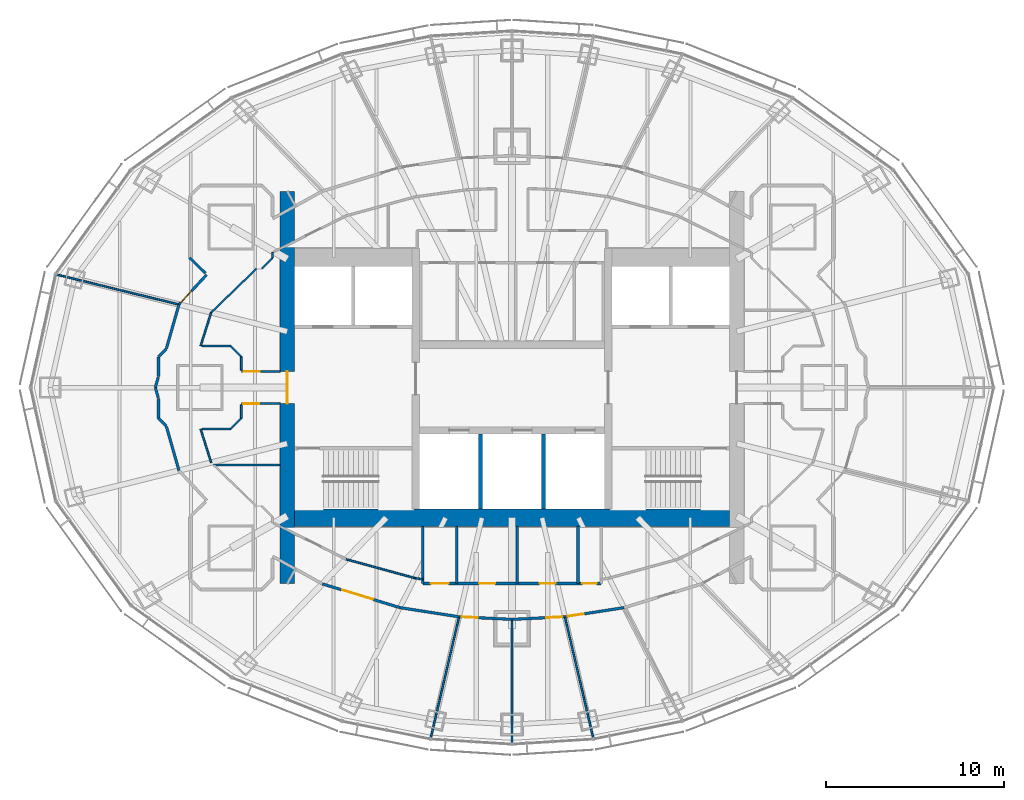
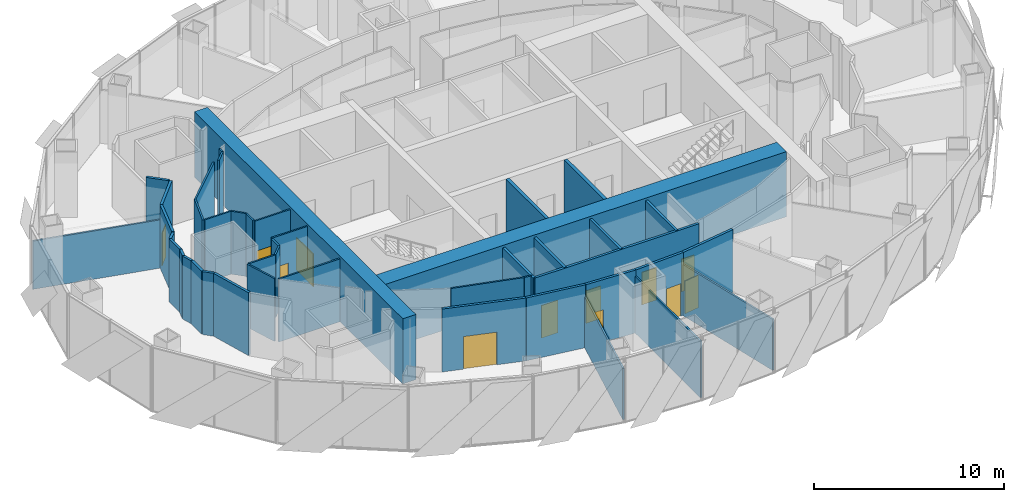
# One storey, part 12 of 19: 44 walls, 12 doors, 12 openings.
"""IFC4 building model written with IfcOpenShell, lengths in metres."""

from ifc_helpers import new_model, si_unit, direction, frame, frame_2d, origin, place, context, subcontext, project, spatial, rectangle, extrude, material, layer, layer_set, type_object, element, fill, save


model = new_model("IFC4")

# Units and contexts
model_context = context("Model", 3, precision=1e-05, world=origin(), true_north=direction((0.0, 1.0)))
body_context = subcontext(model_context, "Body", "Model", "MODEL_VIEW")
ifc_project = project(units=[si_unit("LENGTHUNIT", "METRE"), si_unit("AREAUNIT", "SQUARE_METRE"), si_unit("VOLUMEUNIT", "CUBIC_METRE"), si_unit("PLANEANGLEUNIT", "RADIAN"), si_unit("MASSUNIT", "GRAM", prefix="KILO")], contexts=[model_context])

# Site, building, storey
site_placement = place(None, origin())
site = spatial("IfcSite", under=ifc_project, at=site_placement, CompositionType="ELEMENT")
building_placement = place(site_placement, origin())
building = spatial("IfcBuilding", under=site, at=building_placement, Name="Lantaw Convention Tower", CompositionType="ELEMENT")
storey_placement = place(building_placement, frame((0.0, 0.0, 253.60009765625)))
storey = spatial("IfcBuildingStorey", under=building, at=storey_placement, Name="L59", CompositionType="ELEMENT", Elevation=253.60009765625)

# Wall
ifc_material_1 = material(Name="Concrete C60/75", Category="concrete")
ifc_layer_1 = layer(ifc_material_1, 1.0)
ifc_layer_set_1 = layer_set([ifc_layer_1], Name="Core wall 1000")
wall_type_1 = type_object("IfcWallType", Name="Core wall 1000", PredefinedType="SHEAR", material=ifc_layer_set_1)
wall_1_placement = place(storey_placement, frame((-12.199951171875, -7.300048828125, 0.0), z_axis=(0.0, 0.0, 1.0), x_axis=(1.0, 0.0, 0.0)))
element("IfcWall", 1, at=wall_1_placement, inside=storey, type_object=wall_type_1, Name="Core wall S", PredefinedType="SHEAR", context=body_context, shape_type="SweptSolid", body=[
    extrude(rectangle(XDim=24.39990234375, YDim=1.0, at=frame_2d((12.199951171875, 0.0))), origin(), (0.0, 0.0, 1.0), 4.199951171875),
])

# Wall, opening, door
ifc_layer_2 = layer(ifc_material_1, 0.800048828125)
ifc_layer_set_2 = layer_set([ifc_layer_2], Name="Core wall 800")
wall_type_2 = type_object("IfcWallType", Name="Core wall 800", PredefinedType="SHEAR", material=ifc_layer_set_2)
wall_2_placement = place(storey_placement, frame((-12.60009765625, 11.0, 0.0), z_axis=(0.0, 0.0, 1.0), x_axis=(0.0, -1.0, 0.0)))
wall_2 = element("IfcWall", 2, at=wall_2_placement, inside=storey, type_object=wall_type_2, Name="Core wall W", PredefinedType="SHEAR", context=body_context, shape_type="SweptSolid", body=[
    extrude(rectangle(XDim=22.0, YDim=0.800048828125, at=frame_2d((11.0, 0.0))), origin(), (0.0, 0.0, 1.0), 4.199951171875),
])
opening_1_placement = place(wall_2_placement, frame((10.10009765625, 0.0, 0.0)))
opening_1 = element("IfcOpeningElement", 3, at=opening_1_placement, cuts=wall_2, Name="Opening L59.06", PredefinedType="OPENING", context=body_context, shape_type="SweptSolid", body=[
    extrude(rectangle(XDim=1.800048828125, YDim=2.10009765625, at=frame_2d((0.89990234375, 1.050048828125))), frame((0.0, 0.409912109375, 0.0), z_axis=(0.0, -1.0, 0.0), x_axis=(1.0, 0.0, 0.0)), (0.0, 0.0, 1.0), 0.820068359375),
])
ifc_material_2 = material(Name="Steel, fire rated", Category="steel")
door_type_1 = type_object("IfcDoorType", Name="Lobby double door FD90", OperationType="DOUBLE_DOOR_DOUBLE_SWING", PredefinedType="DOOR", material=ifc_material_2)
door_1_placement = place(opening_1_placement, origin())
door_1 = element("IfcDoor", 4, at=door_1_placement, inside=storey, type_object=door_type_1, Name="Firefighting lobby door", OperationType="DOUBLE_DOOR_DOUBLE_SWING", OverallHeight=2.10009765625, OverallWidth=1.800048828125, PredefinedType="DOOR", context=body_context, shape_type="SweptSolid", body=[
    extrude(rectangle(XDim=1.800048828125, YDim=2.10009765625, at=frame_2d((0.89990234375, 1.050048828125))), frame((0.0, 0.02490234375, 0.0), z_axis=(0.0, -1.0, 0.0), x_axis=(1.0, 0.0, 0.0)), (0.0, 0.0, 1.0), 0.050048828125),
])
fill(opening_1, door_1)

ifc_material_3 = material(Name="Gypsum board on steel studs, fire rated", Category="steel")
ifc_layer_3 = layer(ifc_material_3, 0.14990234375)
ifc_layer_set_3 = layer_set([ifc_layer_3], Name="Corridor wall 150 EI 60")
wall_type_3 = type_object("IfcWallType", Name="Corridor wall 150 EI 60", PredefinedType="PARTITIONING", material=ifc_layer_set_3)
wall_3_placement = place(storey_placement, frame((-10.6328125, -11.010498046875, 0.0), z_axis=(0.0, 0.0, 1.0), x_axis=(0.956185837153, -0.292760388079, 0.0)))
wall_3 = element("IfcWall", 5, at=wall_3_placement, inside=storey, type_object=wall_type_3, Name="Corridor wall 150", PredefinedType="PARTITIONING", context=body_context, shape_type="SweptSolid", body=[
    extrude(rectangle(XDim=4.5439453125, YDim=0.14990234375, at=frame_2d((2.27197265625, 0.0))), origin(), (0.0, 0.0, 1.0), 4.0498046875),
])
opening_2_placement = place(wall_3_placement, frame((1.168212890625, 0.0, 0.0)))
opening_2 = element("IfcOpeningElement", 6, at=opening_2_placement, cuts=wall_3, Name="Opening L59.41", PredefinedType="OPENING", context=body_context, shape_type="SweptSolid", body=[
    extrude(rectangle(XDim=1.800048828125, YDim=2.10009765625, at=frame_2d((0.89990234375, 1.050048828125))), frame((0.0, 0.0849609375, 0.0), z_axis=(0.0, -1.0, 0.0), x_axis=(1.0, 0.0, 0.0)), (0.0, 0.0, 1.0), 0.169921875),
])
door_type_2 = type_object("IfcDoorType", Name="Office double door 1800 FD30", OperationType="DOUBLE_DOOR_DOUBLE_SWING", PredefinedType="DOOR", material=ifc_material_2)
door_2_placement = place(opening_2_placement, origin())
door_2 = element("IfcDoor", 7, at=door_2_placement, inside=storey, type_object=door_type_2, Name="Open office door", OperationType="DOUBLE_DOOR_DOUBLE_SWING", OverallHeight=2.10009765625, OverallWidth=1.800048828125, PredefinedType="DOOR", context=body_context, shape_type="SweptSolid", body=[
    extrude(rectangle(XDim=1.800048828125, YDim=2.10009765625, at=frame_2d((0.89990234375, 1.050048828125))), frame((0.0, 0.02490234375, 0.0), z_axis=(0.0, -1.0, 0.0), x_axis=(1.0, 0.0, 0.0)), (0.0, 0.0, 1.0), 0.050048828125),
])
fill(opening_2, door_2)

# Wall
wall_4_placement = place(storey_placement, frame((-6.287841796875, -12.3408203125, 0.0), z_axis=(0.0, 0.0, 1.0), x_axis=(0.988174283057, -0.153334882869, 0.0)))
element("IfcWall", 8, at=wall_4_placement, inside=storey, type_object=wall_type_3, Name="Corridor wall 150", PredefinedType="PARTITIONING", context=body_context, shape_type="SweptSolid", body=[
    extrude(rectangle(XDim=3.359619140625, YDim=0.14990234375, at=frame_2d((1.6796875, 0.0))), origin(), (0.0, 0.0, 1.0), 4.0498046875),
])

# Wall, opening, door
wall_5_placement = place(storey_placement, frame((-2.968017578125, -12.85595703125, 0.0), z_axis=(0.0, 0.0, 1.0), x_axis=(0.998824412818, -0.04847465687, 0.0)))
wall_5 = element("IfcWall", 9, at=wall_5_placement, inside=storey, type_object=wall_type_3, Name="Corridor wall 150", PredefinedType="PARTITIONING", context=body_context, shape_type="SweptSolid", body=[
    extrude(rectangle(XDim=2.971435546875, YDim=0.14990234375, at=frame_2d((1.48583984375, 0.0))), origin(), (0.0, 0.0, 1.0), 4.0498046875),
])
opening_3_placement = place(wall_5_placement, frame((0.14990234375, 0.0, 0.0)))
opening_3 = element("IfcOpeningElement", 10, at=opening_3_placement, cuts=wall_5, Name="Opening L59.42", PredefinedType="OPENING", context=body_context, shape_type="SweptSolid", body=[
    extrude(rectangle(XDim=0.89990234375, YDim=2.10009765625, at=frame_2d((0.449951171875, 1.050048828125))), frame((0.0, 0.0849609375, 0.0), z_axis=(0.0, -1.0, 0.0), x_axis=(1.0, 0.0, 0.0)), (0.0, 0.0, 1.0), 0.169921875),
])
door_type_3 = type_object("IfcDoorType", Name="Office door 900 FD30", OperationType="SINGLE_SWING_LEFT", PredefinedType="DOOR", material=ifc_material_2)
door_3_placement = place(opening_3_placement, origin())
door_3 = element("IfcDoor", 11, at=door_3_placement, inside=storey, type_object=door_type_3, Name="Private office door", OperationType="SINGLE_SWING_LEFT", OverallHeight=2.10009765625, OverallWidth=0.89990234375, PredefinedType="DOOR", context=body_context, shape_type="SweptSolid", body=[
    extrude(rectangle(XDim=0.89990234375, YDim=2.10009765625, at=frame_2d((0.449951171875, 1.050048828125))), frame((0.0, 0.02490234375, 0.0), z_axis=(0.0, -1.0, 0.0), x_axis=(1.0, 0.0, 0.0)), (0.0, 0.0, 1.0), 0.050048828125),
])
fill(opening_3, door_3)

wall_6_placement = place(storey_placement, frame((0.0, -13.0, 0.0), z_axis=(0.0, 0.0, 1.0), x_axis=(0.998824412818, 0.04847465687, 0.0)))
wall_6 = element("IfcWall", 12, at=wall_6_placement, inside=storey, type_object=wall_type_3, Name="Corridor wall 150", PredefinedType="PARTITIONING", context=body_context, shape_type="SweptSolid", body=[
    extrude(rectangle(XDim=2.971435546875, YDim=0.14990234375, at=frame_2d((1.48583984375, 0.0))), origin(), (0.0, 0.0, 1.0), 4.0498046875),
])
opening_4_placement = place(wall_6_placement, frame((1.92138671875, 0.0, 0.0)))
opening_4 = element("IfcOpeningElement", 13, at=opening_4_placement, cuts=wall_6, Name="Opening L59.43", PredefinedType="OPENING", context=body_context, shape_type="SweptSolid", body=[
    extrude(rectangle(XDim=0.89990234375, YDim=2.10009765625, at=frame_2d((0.449951171875, 1.050048828125))), frame((0.0, 0.0849609375, 0.0), z_axis=(0.0, -1.0, 0.0), x_axis=(1.0, 0.0, 0.0)), (0.0, 0.0, 1.0), 0.169921875),
])
door_4_placement = place(opening_4_placement, origin())
door_4 = element("IfcDoor", 14, at=door_4_placement, inside=storey, type_object=door_type_3, Name="Private office door", OperationType="SINGLE_SWING_LEFT", OverallHeight=2.10009765625, OverallWidth=0.89990234375, PredefinedType="DOOR", context=body_context, shape_type="SweptSolid", body=[
    extrude(rectangle(XDim=0.89990234375, YDim=2.10009765625, at=frame_2d((0.449951171875, 1.050048828125))), frame((0.0, 0.02490234375, 0.0), z_axis=(0.0, -1.0, 0.0), x_axis=(1.0, 0.0, 0.0)), (0.0, 0.0, 1.0), 0.050048828125),
])
fill(opening_4, door_4)

wall_7_placement = place(storey_placement, frame((2.968017578125, -12.85595703125, 0.0), z_axis=(0.0, 0.0, 1.0), x_axis=(0.988174283057, 0.153334882869, 0.0)))
wall_7 = element("IfcWall", 15, at=wall_7_placement, inside=storey, type_object=wall_type_3, Name="Corridor wall 150", PredefinedType="PARTITIONING", context=body_context, shape_type="SweptSolid", body=[
    extrude(rectangle(XDim=3.359619140625, YDim=0.14990234375, at=frame_2d((1.6796875, 0.0))), origin(), (0.0, 0.0, 1.0), 4.0498046875),
])
opening_5_placement = place(wall_7_placement, frame((0.14990234375, 0.0, 0.0)))
opening_5 = element("IfcOpeningElement", 16, at=opening_5_placement, cuts=wall_7, Name="Opening L59.44", PredefinedType="OPENING", context=body_context, shape_type="SweptSolid", body=[
    extrude(rectangle(XDim=0.89990234375, YDim=2.10009765625, at=frame_2d((0.449951171875, 1.050048828125))), frame((0.0, 0.0849609375, 0.0), z_axis=(0.0, -1.0, 0.0), x_axis=(1.0, 0.0, 0.0)), (0.0, 0.0, 1.0), 0.169921875),
])
door_5_placement = place(opening_5_placement, origin())
door_5 = element("IfcDoor", 17, at=door_5_placement, inside=storey, type_object=door_type_3, Name="Private office door", OperationType="SINGLE_SWING_LEFT", OverallHeight=2.10009765625, OverallWidth=0.89990234375, PredefinedType="DOOR", context=body_context, shape_type="SweptSolid", body=[
    extrude(rectangle(XDim=0.89990234375, YDim=2.10009765625, at=frame_2d((0.449951171875, 1.050048828125))), frame((0.0, 0.02490234375, 0.0), z_axis=(0.0, -1.0, 0.0), x_axis=(1.0, 0.0, 0.0)), (0.0, 0.0, 1.0), 0.050048828125),
])
fill(opening_5, door_5)

# Walls
wall_8_placement = place(storey_placement, frame((-18.67333984375, 4.65576171875, 0.0), z_axis=(0.0, 0.0, 1.0), x_axis=(-0.274067949327, -0.961710330168, 0.0)))
element("IfcWall", 18, at=wall_8_placement, inside=storey, type_object=wall_type_3, Name="Corridor wall 150", PredefinedType="PARTITIONING", context=body_context, shape_type="SweptSolid", body=[
    extrude(rectangle(XDim=2.5673828125, YDim=0.14990234375, at=frame_2d((1.28369140625, 0.0))), origin(), (0.0, 0.0, 1.0), 4.0498046875),
])
for number, where, z_axis, x_axis, name in (
    (19, (-19.8349609375, 0.5791015625, 0.0), (0.0, 0.0, 1.0), (-0.27407847996, -0.961707329089, 0.0), "Corridor wall 150"),
    (20, (-20.0, 0.0, 0.0), (0.0, 0.0, 1.0), (0.27407847996, -0.961707329089, 0.0), "Corridor wall 150"),
):
    element("IfcWall", number, at=place(storey_placement, frame(where, z_axis=z_axis, x_axis=x_axis)), inside=storey, type_object=wall_type_3, Name=name, PredefinedType="PARTITIONING", context=body_context, shape_type="SweptSolid", body=[
        extrude(rectangle(XDim=0.60205078125, YDim=0.14990234375, at=frame_2d((0.301025390625, 0.0))), origin(), (0.0, 0.0, 1.0), 4.0498046875),
    ])
wall_9_placement = place(storey_placement, frame((-19.376953125, -2.186767578125, 0.0), z_axis=(0.0, 0.0, 1.0), x_axis=(0.274067949327, -0.961710330168, 0.0)))
element("IfcWall", 21, at=wall_9_placement, inside=storey, type_object=wall_type_3, Name="Corridor wall 150", PredefinedType="PARTITIONING", context=body_context, shape_type="SweptSolid", body=[
    extrude(rectangle(XDim=2.5673828125, YDim=0.14990234375, at=frame_2d((1.28369140625, 0.0))), origin(), (0.0, 0.0, 1.0), 4.0498046875),
])
for number, where, z_axis, x_axis, name in (
    (22, (-19.824951171875, -1.724609375, 0.0), (0.0, 0.0, 1.0), (0.0, 1.0, 0.0), "Corridor wall 150"),
    (23, (-19.824951171875, 0.607421875, 0.0), (0.0, 0.0, 1.0), (0.0, 1.0, 0.0), "Corridor wall 150"),
):
    element("IfcWall", number, at=place(storey_placement, frame(where, z_axis=z_axis, x_axis=x_axis)), inside=storey, type_object=wall_type_3, Name=name, PredefinedType="PARTITIONING", context=body_context, shape_type="SweptSolid", body=[
        extrude(rectangle(XDim=1.1171875, YDim=0.14990234375, at=frame_2d((0.55859375, 0.0))), origin(), (0.0, 0.0, 1.0), 4.0498046875),
    ])
for number, where, z_axis, x_axis, name in (
    (24, (-19.824951171875, 1.724609375, 0.0), (0.0, 0.0, 1.0), (0.707106781187, 0.707106781187, 0.0), "Corridor wall 150"),
    (25, (-19.39013671875, -2.159423828125, 0.0), (0.0, 0.0, 1.0), (-0.707106781187, 0.707106781187, 0.0), "Corridor wall 150"),
):
    element("IfcWall", number, at=place(storey_placement, frame(where, z_axis=z_axis, x_axis=x_axis)), inside=storey, type_object=wall_type_3, Name=name, PredefinedType="PARTITIONING", context=body_context, shape_type="SweptSolid", body=[
        extrude(rectangle(XDim=0.614990234375, YDim=0.14990234375, at=frame_2d((0.3076171875, 0.0))), origin(), (0.0, 0.0, 1.0), 4.0498046875),
    ])

# Wall, opening, door
wall_10_placement = place(storey_placement, frame((-17.121337890625, 6.32470703125, 0.0), z_axis=(0.0, 0.0, 1.0), x_axis=(-0.680985069419, -0.732297299755, 0.0)))
wall_10 = element("IfcWall", 26, at=wall_10_placement, inside=storey, type_object=wall_type_3, Name="Corridor wall 150", PredefinedType="PARTITIONING", context=body_context, shape_type="SweptSolid", body=[
    extrude(rectangle(XDim=2.279052734375, YDim=0.14990234375, at=frame_2d((1.1396484375, 0.0))), origin(), (0.0, 0.0, 1.0), 4.0498046875),
])
opening_6_placement = place(wall_10_placement, frame((1.25, 0.0, 0.0)))
opening_6 = element("IfcOpeningElement", 27, at=opening_6_placement, cuts=wall_10, Name="Opening L59.40", PredefinedType="OPENING", context=body_context, shape_type="SweptSolid", body=[
    extrude(rectangle(XDim=0.89990234375, YDim=2.10009765625, at=frame_2d((0.449951171875, 1.050048828125))), frame((0.0, 0.0849609375, 0.0), z_axis=(0.0, -1.0, 0.0), x_axis=(1.0, 0.0, 0.0)), (0.0, 0.0, 1.0), 0.169921875),
])
door_6_placement = place(opening_6_placement, origin())
door_6 = element("IfcDoor", 28, at=door_6_placement, inside=storey, type_object=door_type_3, Name="Meeting room door", OperationType="SINGLE_SWING_LEFT", OverallHeight=2.10009765625, OverallWidth=0.89990234375, PredefinedType="DOOR", context=body_context, shape_type="SweptSolid", body=[
    extrude(rectangle(XDim=0.89990234375, YDim=2.10009765625, at=frame_2d((0.449951171875, 1.050048828125))), frame((0.0, 0.02490234375, 0.0), z_axis=(0.0, -1.0, 0.0), x_axis=(1.0, 0.0, 0.0)), (0.0, 0.0, 1.0), 0.050048828125),
])
fill(opening_6, door_6)

# Walls
wall_11_placement = place(storey_placement, frame((-17.1865234375, 6.40380859375, 0.0), z_axis=(0.0, 0.0, 1.0), x_axis=(-0.713842064016, 0.700306723973, 0.0)))
element("IfcWall", 29, at=wall_11_placement, inside=storey, type_object=wall_type_3, Name="Corridor wall 150", PredefinedType="PARTITIONING", context=body_context, shape_type="SweptSolid", body=[
    extrude(rectangle(XDim=1.24462890625, YDim=0.14990234375, at=frame_2d((0.622314453125, 0.0))), origin(), (0.0, 0.0, 1.0), 4.0498046875),
])
ifc_material_4 = material(Name="Gypsum board on steel studs, acoustic", Category="steel")
ifc_layer_4 = layer(ifc_material_4, 0.10009765625)
ifc_layer_set_4 = layer_set([ifc_layer_4], Name="Office partition 100")
wall_type_4 = type_object("IfcWallType", Name="Office partition 100", PredefinedType="PARTITIONING", material=ifc_layer_set_4)
wall_12_placement = place(storey_placement, frame((-25.54296875, 6.33544921875, 0.0), z_axis=(0.0, 0.0, 1.0), x_axis=(0.971384494438, -0.237512450129, 0.0)))
element("IfcWall", 30, at=wall_12_placement, inside=storey, type_object=wall_type_4, Name="Office partition 100", PredefinedType="PARTITIONING", context=body_context, shape_type="SweptSolid", body=[
    extrude(rectangle(XDim=7.072021484375, YDim=0.10009765625, at=frame_2d((3.5361328125, 0.0))), origin(), (0.0, 0.0, 1.0), 3.107666015625),
])
wall_13_placement = place(storey_placement, frame((-4.5556640625, -19.65673828125, 0.0), z_axis=(0.0, 0.0, 1.0), x_axis=(0.22733791689, 0.973815933092, 0.0)))
element("IfcWall", 31, at=wall_13_placement, inside=storey, type_object=wall_type_4, Name="Office partition 100", PredefinedType="PARTITIONING", context=body_context, shape_type="SweptSolid", body=[
    extrude(rectangle(XDim=6.983642578125, YDim=0.10009765625, at=frame_2d((3.49169921875, 0.0))), origin(), (0.0, 0.0, 1.0), 3.29296875),
])
wall_14_placement = place(storey_placement, frame((0.0, -19.94482421875, 0.0), z_axis=(0.0, 0.0, 1.0), x_axis=(0.0, 1.0, 0.0)))
element("IfcWall", 32, at=wall_14_placement, inside=storey, type_object=wall_type_4, Name="Office partition 100", PredefinedType="PARTITIONING", context=body_context, shape_type="SweptSolid", body=[
    extrude(rectangle(XDim=6.94482421875, YDim=0.10009765625, at=frame_2d((3.472412109375, 0.0))), origin(), (0.0, 0.0, 1.0), 3.6435546875),
])
wall_15_placement = place(storey_placement, frame((4.5556640625, -19.65673828125, 0.0), z_axis=(0.0, 0.0, 1.0), x_axis=(-0.22733791689, 0.973815933092, 0.0)))
element("IfcWall", 33, at=wall_15_placement, inside=storey, type_object=wall_type_4, Name="Office partition 100", PredefinedType="PARTITIONING", context=body_context, shape_type="SweptSolid", body=[
    extrude(rectangle(XDim=6.983642578125, YDim=0.10009765625, at=frame_2d((3.49169921875, 0.0))), origin(), (0.0, 0.0, 1.0), 3.29296875),
])
wall_16_placement = place(storey_placement, frame((-16.729248046875, -4.340087890625, 0.0), z_axis=(0.0, 0.0, 1.0), x_axis=(1.0, 0.0, 0.0)))
element("IfcWall", 34, at=wall_16_placement, inside=storey, type_object=wall_type_4, Name="Office partition 100", PredefinedType="PARTITIONING", context=body_context, shape_type="SweptSolid", body=[
    extrude(rectangle(XDim=3.729248046875, YDim=0.10009765625, at=frame_2d((1.86474609375, 0.0))), origin(), (0.0, 0.0, 1.0), 4.0498046875),
])
wall_17_placement = place(storey_placement, frame((-5.0, -10.7490234375, 0.0), z_axis=(0.0, 0.0, 1.0), x_axis=(-0.990442882696, 0.137923515463, 0.0)))
element("IfcWall", 35, at=wall_17_placement, inside=storey, type_object=wall_type_4, Name="Office partition 100", PredefinedType="PARTITIONING", context=body_context, shape_type="SweptSolid", body=[
    extrude(rectangle(XDim=0.44970703125, YDim=0.10009765625, at=frame_2d((0.224853515625, 0.0))), origin(), (0.0, 0.0, 1.0), 4.0498046875),
])
wall_18_placement = place(storey_placement, frame((-5.4453125, -10.68701171875, 0.0), z_axis=(0.0, 0.0, 1.0), x_axis=(-0.964244438722, 0.265014456954, 0.0)))
element("IfcWall", 36, at=wall_18_placement, inside=storey, type_object=wall_type_4, Name="Office partition 100", PredefinedType="PARTITIONING", context=body_context, shape_type="SweptSolid", body=[
    extrude(rectangle(XDim=3.995361328125, YDim=0.10009765625, at=frame_2d((1.99755859375, 0.0))), origin(), (0.0, 0.0, 1.0), 4.0498046875),
])
wall_19_placement = place(storey_placement, frame((-16.8681640625, -4.205810546875, 0.0), z_axis=(0.0, 0.0, 1.0), x_axis=(-0.301821975729, 0.953364303384, 0.0)))
element("IfcWall", 37, at=wall_19_placement, inside=storey, type_object=wall_type_4, Name="Office partition 100", PredefinedType="PARTITIONING", context=body_context, shape_type="SweptSolid", body=[
    extrude(rectangle(XDim=1.96240234375, YDim=0.10009765625, at=frame_2d((0.981201171875, 0.0))), origin(), (0.0, 0.0, 1.0), 4.0498046875),
])

# Wall, opening, door
wall_20_placement = place(storey_placement, frame((-15.1650390625, -0.89990234375, 0.0), z_axis=(0.0, 0.0, 1.0), x_axis=(1.0, 0.0, 0.0)))
wall_20 = element("IfcWall", 38, at=wall_20_placement, inside=storey, type_object=wall_type_4, Name="Office partition 100", PredefinedType="PARTITIONING", context=body_context, shape_type="SweptSolid", body=[
    extrude(rectangle(XDim=2.1650390625, YDim=0.10009765625, at=frame_2d((1.08251953125, 0.0))), origin(), (0.0, 0.0, 1.0), 4.0498046875),
])
opening_7_placement = place(wall_20_placement, frame((0.10009765625, 0.0, 0.0)))
opening_7 = element("IfcOpeningElement", 39, at=opening_7_placement, cuts=wall_20, Name="Opening L59.23", PredefinedType="OPENING", context=body_context, shape_type="SweptSolid", body=[
    extrude(rectangle(XDim=0.89990234375, YDim=2.10009765625, at=frame_2d((0.449951171875, 1.050048828125))), frame((0.0, 0.06005859375, 0.0), z_axis=(0.0, -1.0, 0.0), x_axis=(1.0, 0.0, 0.0)), (0.0, 0.0, 1.0), 0.1201171875),
])
ifc_material_5 = material(Name="Timber", Category="wood")
door_type_4 = type_object("IfcDoorType", Name="Office door 900", OperationType="SINGLE_SWING_LEFT", PredefinedType="DOOR", material=ifc_material_5)
door_7_placement = place(opening_7_placement, origin())
door_7 = element("IfcDoor", 40, at=door_7_placement, inside=storey, type_object=door_type_4, Name="Project room door", OperationType="SINGLE_SWING_LEFT", OverallHeight=2.10009765625, OverallWidth=0.89990234375, PredefinedType="DOOR", context=body_context, shape_type="SweptSolid", body=[
    extrude(rectangle(XDim=0.89990234375, YDim=2.10009765625, at=frame_2d((0.449951171875, 1.050048828125))), frame((0.0, 0.02490234375, 0.0), z_axis=(0.0, -1.0, 0.0), x_axis=(1.0, 0.0, 0.0)), (0.0, 0.0, 1.0), 0.050048828125),
])
fill(opening_7, door_7)

wall_21_placement = place(storey_placement, frame((-13.0, 0.89990234375, 0.0), z_axis=(0.0, 0.0, 1.0), x_axis=(-1.0, 0.0, 0.0)))
wall_21 = element("IfcWall", 41, at=wall_21_placement, inside=storey, type_object=wall_type_4, Name="Office partition 100", PredefinedType="PARTITIONING", context=body_context, shape_type="SweptSolid", body=[
    extrude(rectangle(XDim=2.1650390625, YDim=0.10009765625, at=frame_2d((1.08251953125, 0.0))), origin(), (0.0, 0.0, 1.0), 4.0498046875),
])
opening_8_placement = place(wall_21_placement, frame((1.14990234375, 0.0, 0.0)))
opening_8 = element("IfcOpeningElement", 42, at=opening_8_placement, cuts=wall_21, Name="Opening L59.32", PredefinedType="OPENING", context=body_context, shape_type="SweptSolid", body=[
    extrude(rectangle(XDim=0.89990234375, YDim=2.10009765625, at=frame_2d((0.449951171875, 1.050048828125))), frame((0.0, 0.06005859375, 0.0), z_axis=(0.0, -1.0, 0.0), x_axis=(1.0, 0.0, 0.0)), (0.0, 0.0, 1.0), 0.1201171875),
])
door_8_placement = place(opening_8_placement, origin())
door_8 = element("IfcDoor", 43, at=door_8_placement, inside=storey, type_object=door_type_4, Name="Tenant storage room door", OperationType="SINGLE_SWING_LEFT", OverallHeight=2.10009765625, OverallWidth=0.89990234375, PredefinedType="DOOR", context=body_context, shape_type="SweptSolid", body=[
    extrude(rectangle(XDim=0.89990234375, YDim=2.10009765625, at=frame_2d((0.449951171875, 1.050048828125))), frame((0.0, 0.02490234375, 0.0), z_axis=(0.0, -1.0, 0.0), x_axis=(1.0, 0.0, 0.0)), (0.0, 0.0, 1.0), 0.050048828125),
])
fill(opening_8, door_8)

# Walls
wall_22_placement = place(storey_placement, frame((-17.46044921875, 2.3349609375, 0.0), z_axis=(0.0, 0.0, 1.0), x_axis=(0.301821975729, 0.953364303384, 0.0)))
element("IfcWall", 44, at=wall_22_placement, inside=storey, type_object=wall_type_4, Name="Office partition 100", PredefinedType="PARTITIONING", context=body_context, shape_type="SweptSolid", body=[
    extrude(rectangle(XDim=1.96240234375, YDim=0.10009765625, at=frame_2d((0.981201171875, 0.0))), origin(), (0.0, 0.0, 1.0), 4.0498046875),
])
wall_23_placement = place(storey_placement, frame((-15.175048828125, -0.978271484375, 0.0), z_axis=(0.0, 0.0, 1.0), x_axis=(0.0, -1.0, 0.0)))
element("IfcWall", 45, at=wall_23_placement, inside=storey, type_object=wall_type_4, Name="Office partition 100", PredefinedType="PARTITIONING", context=body_context, shape_type="SweptSolid", body=[
    extrude(rectangle(XDim=0.746337890625, YDim=0.10009765625, at=frame_2d((0.373046875, 0.0))), origin(), (0.0, 0.0, 1.0), 4.0498046875),
])
wall_24_placement = place(storey_placement, frame((-15.175048828125, -1.724609375, 0.0), z_axis=(0.0, 0.0, 1.0), x_axis=(-0.707106781187, -0.707106781187, 0.0)))
element("IfcWall", 46, at=wall_24_placement, inside=storey, type_object=wall_type_4, Name="Office partition 100", PredefinedType="PARTITIONING", context=body_context, shape_type="SweptSolid", body=[
    extrude(rectangle(XDim=0.84912109375, YDim=0.10009765625, at=frame_2d((0.424560546875, 0.0))), origin(), (0.0, 0.0, 1.0), 4.0498046875),
])
for number, where, z_axis, x_axis, name in (
    (47, (-15.775390625, -2.324951171875, 0.0), (0.0, 0.0, 1.0), (-1.0, 0.0, 0.0), "Office partition 100"),
    (48, (-17.3798828125, 2.324951171875, 0.0), (0.0, 0.0, 1.0), (1.0, 0.0, 0.0), "Office partition 100"),
):
    element("IfcWall", number, at=place(storey_placement, frame(where, z_axis=z_axis, x_axis=x_axis)), inside=storey, type_object=wall_type_4, Name=name, PredefinedType="PARTITIONING", context=body_context, shape_type="SweptSolid", body=[
        extrude(rectangle(XDim=1.6044921875, YDim=0.10009765625, at=frame_2d((0.80224609375, 0.0))), origin(), (0.0, 0.0, 1.0), 4.0498046875),
    ])
wall_25_placement = place(storey_placement, frame((-15.775390625, 2.324951171875, 0.0), z_axis=(0.0, 0.0, 1.0), x_axis=(0.707106781187, -0.707106781187, 0.0)))
element("IfcWall", 49, at=wall_25_placement, inside=storey, type_object=wall_type_4, Name="Office partition 100", PredefinedType="PARTITIONING", context=body_context, shape_type="SweptSolid", body=[
    extrude(rectangle(XDim=0.84912109375, YDim=0.10009765625, at=frame_2d((0.424560546875, 0.0))), origin(), (0.0, 0.0, 1.0), 4.0498046875),
])
wall_26_placement = place(storey_placement, frame((-15.175048828125, 1.724609375, 0.0), z_axis=(0.0, 0.0, 1.0), x_axis=(0.0, -1.0, 0.0)))
element("IfcWall", 50, at=wall_26_placement, inside=storey, type_object=wall_type_4, Name="Office partition 100", PredefinedType="PARTITIONING", context=body_context, shape_type="SweptSolid", body=[
    extrude(rectangle(XDim=0.746337890625, YDim=0.10009765625, at=frame_2d((0.373046875, 0.0))), origin(), (0.0, 0.0, 1.0), 4.0498046875),
])
wall_27_placement = place(storey_placement, frame((-16.8681640625, 4.205810546875, 0.0), z_axis=(0.0, 0.0, 1.0), x_axis=(0.718810161381, 0.695206409562, 0.0)))
element("IfcWall", 51, at=wall_27_placement, inside=storey, type_object=wall_type_4, Name="Office partition 100", PredefinedType="PARTITIONING", context=body_context, shape_type="SweptSolid", body=[
    extrude(rectangle(XDim=3.537353515625, YDim=0.10009765625, at=frame_2d((1.7685546875, 0.0))), origin(), (0.0, 0.0, 1.0), 4.0498046875),
])
wall_28_placement = place(storey_placement, frame((-13.425048828125, 7.57763671875, 0.0), z_axis=(0.0, 0.0, 1.0), x_axis=(0.0, -1.0, 0.0)))
element("IfcWall", 52, at=wall_28_placement, inside=storey, type_object=wall_type_4, Name="Office partition 100", PredefinedType="PARTITIONING", context=body_context, shape_type="SweptSolid", body=[
    extrude(rectangle(XDim=0.30224609375, YDim=0.10009765625, at=frame_2d((0.151123046875, 0.0))), origin(), (0.0, 0.0, 1.0), 4.0498046875),
])
wall_29_placement = place(storey_placement, frame((-13.425048828125, 7.275390625, 0.0), z_axis=(0.0, 0.0, 1.0), x_axis=(-0.707106781187, -0.707106781187, 0.0)))
element("IfcWall", 53, at=wall_29_placement, inside=storey, type_object=wall_type_4, Name="Office partition 100", PredefinedType="PARTITIONING", context=body_context, shape_type="SweptSolid", body=[
    extrude(rectangle(XDim=0.84912109375, YDim=0.10009765625, at=frame_2d((0.424560546875, 0.0))), origin(), (0.0, 0.0, 1.0), 4.0498046875),
])
ifc_material_6 = material(Name="Concrete blockwork, fire rated", Category="masonry")
ifc_layer_5 = layer(ifc_material_6, 0.199951171875)
ifc_layer_set_5 = layer_set([ifc_layer_5], Name="Shaft wall 200 load-bearing")
wall_type_5 = type_object("IfcWallType", Name="Shaft wall 200 load-bearing", PredefinedType="SOLIDWALL", material=ifc_layer_set_5)
for number, where, z_axis, x_axis, name in (
    (54, (-1.7666015625, -2.60009765625, 0.0), (0.0, 0.0, 1.0), (0.0, -1.0, 0.0), "Shaft wall DS1"),
    (55, (1.7666015625, -2.60009765625, 0.0), (0.0, 0.0, 1.0), (0.0, -1.0, 0.0), "Shaft wall DS2"),
):
    element("IfcWall", number, at=place(storey_placement, frame(where, z_axis=z_axis, x_axis=x_axis)), inside=storey, type_object=wall_type_5, Name=name, PredefinedType="SOLIDWALL", context=body_context, shape_type="SweptSolid", body=[
        extrude(rectangle(XDim=4.199951171875, YDim=0.199951171875, at=frame_2d((2.10009765625, 0.0))), origin(), (0.0, 0.0, 1.0), 4.199951171875),
    ])

# Wall, openings, doors
ifc_material_7 = material(Name="Concrete blockwork", Category="masonry")
ifc_layer_6 = layer(ifc_material_7, 0.14990234375)
ifc_layer_set_6 = layer_set([ifc_layer_6], Name="WC wall 150")
wall_type_6 = type_object("IfcWallType", Name="WC wall 150", PredefinedType="SOLIDWALL", material=ifc_layer_set_6)
wall_30_placement = place(storey_placement, frame((-5.0, -10.987060546875, 0.0), z_axis=(0.0, 0.0, 1.0), x_axis=(1.0, 0.0, 0.0)))
wall_30 = element("IfcWall", 56, at=wall_30_placement, inside=storey, type_object=wall_type_6, Name="WC wall 150", PredefinedType="SOLIDWALL", context=body_context, shape_type="SweptSolid", body=[
    extrude(rectangle(XDim=10.0, YDim=0.14990234375, at=frame_2d((5.0, 0.0))), origin(), (0.0, 0.0, 1.0), 4.0498046875),
])
opening_9_placement = place(wall_30_placement, frame((0.449951171875, 0.0, 0.0)))
opening_9 = element("IfcOpeningElement", 57, at=opening_9_placement, cuts=wall_30, Name="Opening L59.18", PredefinedType="OPENING", context=body_context, shape_type="SweptSolid", body=[
    extrude(rectangle(XDim=1.0, YDim=2.10009765625, at=frame_2d((0.5, 1.050048828125))), frame((0.0, 0.0849609375, 0.0), z_axis=(0.0, -1.0, 0.0), x_axis=(1.0, 0.0, 0.0)), (0.0, 0.0, 1.0), 0.169921875),
])
opening_10_placement = place(wall_30_placement, frame((3.14990234375, 0.0, 0.0)))
opening_10 = element("IfcOpeningElement", 58, at=opening_10_placement, cuts=wall_30, Name="Opening L59.19", PredefinedType="OPENING", context=body_context, shape_type="SweptSolid", body=[
    extrude(rectangle(XDim=0.89990234375, YDim=2.10009765625, at=frame_2d((0.449951171875, 1.050048828125))), frame((0.0, 0.0849609375, 0.0), z_axis=(0.0, -1.0, 0.0), x_axis=(1.0, 0.0, 0.0)), (0.0, 0.0, 1.0), 0.169921875),
])
opening_11_placement = place(wall_30_placement, frame((6.550048828125, 0.0, 0.0)))
opening_11 = element("IfcOpeningElement", 59, at=opening_11_placement, cuts=wall_30, Name="Opening L59.20", PredefinedType="OPENING", context=body_context, shape_type="SweptSolid", body=[
    extrude(rectangle(XDim=0.89990234375, YDim=2.10009765625, at=frame_2d((0.449951171875, 1.050048828125))), frame((0.0, 0.0849609375, 0.0), z_axis=(0.0, -1.0, 0.0), x_axis=(1.0, 0.0, 0.0)), (0.0, 0.0, 1.0), 0.169921875),
])
opening_12_placement = place(wall_30_placement, frame((8.949951171875, 0.0, 0.0)))
opening_12 = element("IfcOpeningElement", 60, at=opening_12_placement, cuts=wall_30, Name="Opening L59.21", PredefinedType="OPENING", context=body_context, shape_type="SweptSolid", body=[
    extrude(rectangle(XDim=0.800048828125, YDim=2.10009765625, at=frame_2d((0.39990234375, 1.050048828125))), frame((0.0, 0.0849609375, 0.0), z_axis=(0.0, -1.0, 0.0), x_axis=(1.0, 0.0, 0.0)), (0.0, 0.0, 1.0), 0.169921875),
])
door_type_5 = type_object("IfcDoorType", Name="Accessible WC door 1000", OperationType="SINGLE_SWING_LEFT", PredefinedType="DOOR", material=ifc_material_5)
door_9_placement = place(opening_9_placement, origin())
door_9 = element("IfcDoor", 61, at=door_9_placement, inside=storey, type_object=door_type_5, Name="Accessible WC door", OperationType="SINGLE_SWING_LEFT", OverallHeight=2.10009765625, OverallWidth=1.0, PredefinedType="DOOR", context=body_context, shape_type="SweptSolid", body=[
    extrude(rectangle(XDim=1.0, YDim=2.10009765625, at=frame_2d((0.5, 1.050048828125))), frame((0.0, 0.02490234375, 0.0), z_axis=(0.0, -1.0, 0.0), x_axis=(1.0, 0.0, 0.0)), (0.0, 0.0, 1.0), 0.050048828125),
])
fill(opening_9, door_9)
door_type_6 = type_object("IfcDoorType", Name="WC door 800", OperationType="SINGLE_SWING_LEFT", PredefinedType="DOOR", material=ifc_material_5)
door_10_placement = place(opening_12_placement, origin())
door_10 = element("IfcDoor", 62, at=door_10_placement, inside=storey, type_object=door_type_6, Name="Pantry door", OperationType="SINGLE_SWING_LEFT", OverallHeight=2.10009765625, OverallWidth=0.800048828125, PredefinedType="DOOR", context=body_context, shape_type="SweptSolid", body=[
    extrude(rectangle(XDim=0.800048828125, YDim=2.10009765625, at=frame_2d((0.39990234375, 1.050048828125))), frame((0.0, 0.02490234375, 0.0), z_axis=(0.0, -1.0, 0.0), x_axis=(1.0, 0.0, 0.0)), (0.0, 0.0, 1.0), 0.050048828125),
])
fill(opening_12, door_10)
door_type_7 = type_object("IfcDoorType", Name="WC door 900", OperationType="SINGLE_SWING_LEFT", PredefinedType="DOOR", material=ifc_material_5)
door_11_placement = place(opening_10_placement, origin())
door_11 = element("IfcDoor", 63, at=door_11_placement, inside=storey, type_object=door_type_7, Name="Male WC door", OperationType="SINGLE_SWING_LEFT", OverallHeight=2.10009765625, OverallWidth=0.89990234375, PredefinedType="DOOR", context=body_context, shape_type="SweptSolid", body=[
    extrude(rectangle(XDim=0.89990234375, YDim=2.10009765625, at=frame_2d((0.449951171875, 1.050048828125))), frame((0.0, 0.02490234375, 0.0), z_axis=(0.0, -1.0, 0.0), x_axis=(1.0, 0.0, 0.0)), (0.0, 0.0, 1.0), 0.050048828125),
])
fill(opening_10, door_11)
door_12_placement = place(opening_11_placement, origin())
door_12 = element("IfcDoor", 64, at=door_12_placement, inside=storey, type_object=door_type_7, Name="Female WC door", OperationType="SINGLE_SWING_LEFT", OverallHeight=2.10009765625, OverallWidth=0.89990234375, PredefinedType="DOOR", context=body_context, shape_type="SweptSolid", body=[
    extrude(rectangle(XDim=0.89990234375, YDim=2.10009765625, at=frame_2d((0.449951171875, 1.050048828125))), frame((0.0, 0.02490234375, 0.0), z_axis=(0.0, -1.0, 0.0), x_axis=(1.0, 0.0, 0.0)), (0.0, 0.0, 1.0), 0.050048828125),
])
fill(opening_11, door_12)

# Walls
for number, where, z_axis, x_axis, name in (
    (65, (-5.0, -7.800048828125, 0.0), (0.0, 0.0, 1.0), (0.0, -1.0, 0.0), "WC wall 150"),
    (66, (-3.10009765625, -7.800048828125, 0.0), (0.0, 0.0, 1.0), (0.0, -1.0, 0.0), "WC wall 150"),
    (67, (0.300048828125, -7.800048828125, 0.0), (0.0, 0.0, 1.0), (0.0, -1.0, 0.0), "WC wall 150"),
    (68, (3.699951171875, -7.800048828125, 0.0), (0.0, 0.0, 1.0), (0.0, -1.0, 0.0), "WC wall 150"),
):
    element("IfcWall", number, at=place(storey_placement, frame(where, z_axis=z_axis, x_axis=x_axis)), inside=storey, type_object=wall_type_6, Name=name, PredefinedType="SOLIDWALL", context=body_context, shape_type="SweptSolid", body=[
        extrude(rectangle(XDim=3.18701171875, YDim=0.14990234375, at=frame_2d((1.593505859375, 0.0))), origin(), (0.0, 0.0, 1.0), 4.0498046875),
    ])

save(model, "model.ifc")
